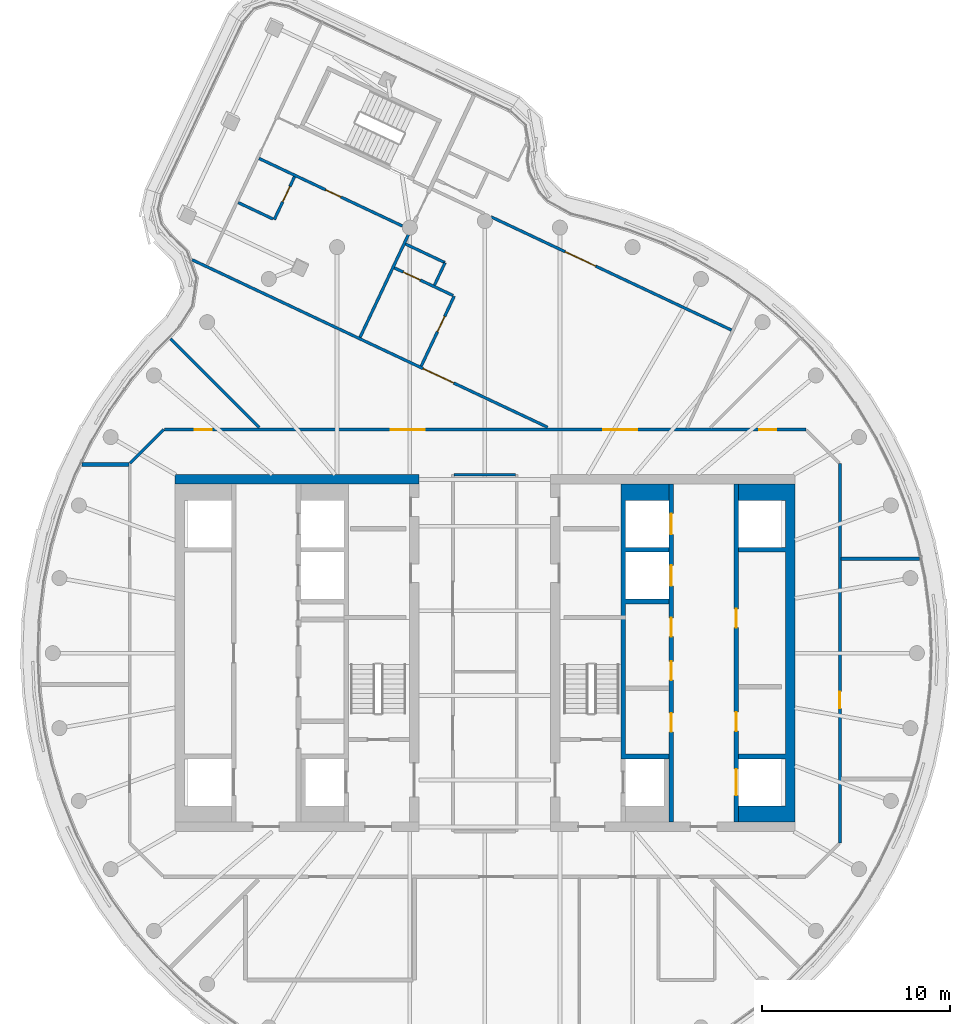
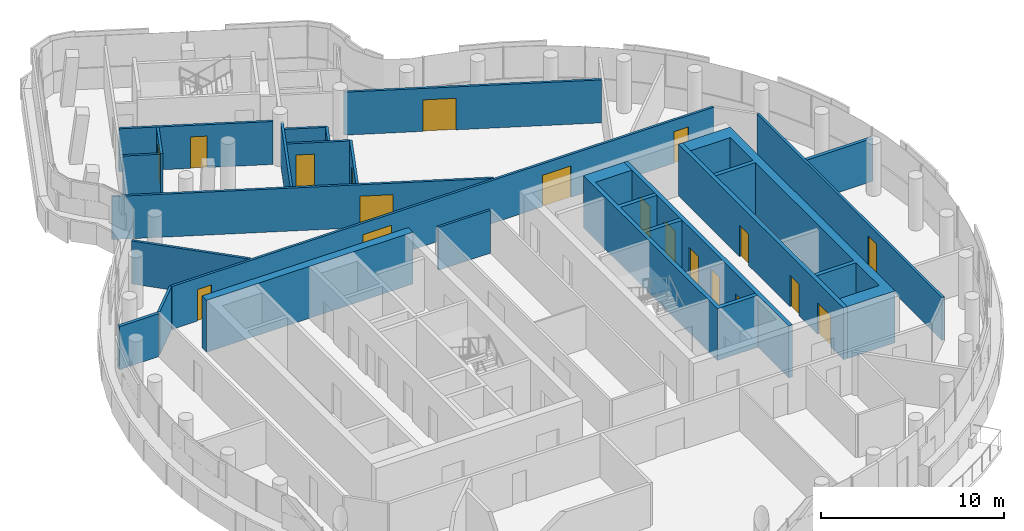
# One storey, part 15 of 21: 22 walls, 19 doors, 19 openings.
"""IFC4 building model written with IfcOpenShell, lengths in metres."""

from ifc_helpers import new_model, si_unit, direction, frame, frame_2d, origin, place, context, subcontext, project, spatial, polyline, rectangle, outline, extrude, material, layer, layer_set, type_object, element, fill, save


model = new_model("IFC4")

# Units and contexts
model_context = context("Model", 3, precision=1e-05, world=origin(), true_north=direction((0.0, 1.0)))
body_context = subcontext(model_context, "Body", "Model", "MODEL_VIEW")
ifc_project = project(units=[si_unit("LENGTHUNIT", "METRE"), si_unit("AREAUNIT", "SQUARE_METRE"), si_unit("VOLUMEUNIT", "CUBIC_METRE"), si_unit("PLANEANGLEUNIT", "RADIAN"), si_unit("MASSUNIT", "GRAM", prefix="KILO")], contexts=[model_context])

# Site, building, storey
site_placement = place(None, origin())
site = spatial("IfcSite", under=ifc_project, at=site_placement, CompositionType="ELEMENT")
building_placement = place(site_placement, origin())
building = spatial("IfcBuilding", under=site, at=building_placement, Name="Tamarind Cross Interchange Tower", CompositionType="ELEMENT")
storey_placement = place(building_placement, frame((0.0, 0.0, 267.60009765625)))
storey = spatial("IfcBuildingStorey", under=building, at=storey_placement, Name="L68", CompositionType="ELEMENT", Elevation=267.60009765625)

# Walls
ifc_material_1 = material(Name="Concrete C50", Category="concrete")
ifc_layer_1 = layer(ifc_material_1, 0.5)
ifc_layer_set_1 = layer_set([ifc_layer_1], Name="Concrete C50")
wall_type_1 = type_object("IfcWallType", Name="Core wall 500 mm Concrete C50", PredefinedType="SHEAR", material=ifc_layer_set_1)
wall_1_placement = place(storey_placement, frame((-16.5, 9.25, 0.0), z_axis=(0.0, 0.0, 1.0), x_axis=(1.0, 0.0, 0.0)))
element("IfcWall", 1, at=wall_1_placement, inside=storey, type_object=wall_type_1, Name="Core wall CWL-L68-W-NE", PredefinedType="SHEAR", context=body_context, shape_type="SweptSolid", body=[
    extrude(rectangle(XDim=13.0, YDim=0.5, at=frame_2d((6.5, 0.0))), origin(), (0.0, 0.0, 1.0), 3.4599609375),
])
wall_2_placement = place(storey_placement, origin())
element("IfcWall", 2, at=wall_2_placement, inside=storey, type_object=wall_type_1, Name="Core wall CWL-L68-E-A", PredefinedType="SHEAR", context=body_context, shape_type="SweptSolid", body=[
    extrude(outline(polyline([(13.5, -8.125), (13.5, -9.0), (16.0, -9.0), (16.5, -9.0), (16.5, 9.0), (16.0, 9.0), (13.5, 9.0), (13.5, 8.125), (16.0, 8.125), (16.0, 5.625), (13.5, 5.625), (13.5, 5.375), (16.0, 5.375), (16.0, -5.375), (13.5, -5.375), (13.5, -5.625), (16.0, -5.625), (16.0, -8.125), (13.5, -8.125)])), origin(), (0.0, 0.0, 1.0), 3.4599609375),
])
ifc_layer_2 = layer(ifc_material_1, 0.25)
ifc_layer_set_2 = layer_set([ifc_layer_2], Name="Concrete C50")
wall_type_2 = type_object("IfcWallType", Name="Core web wall 250 mm Concrete C50", PredefinedType="SHEAR", material=ifc_layer_set_2)
wall_3_placement = place(storey_placement, origin())
element("IfcWall", 3, at=wall_3_placement, inside=storey, type_object=wall_type_2, Name="Core wall CWL-L68-E-BN", PredefinedType="SHEAR", context=body_context, shape_type="SweptSolid", body=[
    extrude(outline(polyline([(9.800048828125, -5.375), (7.5, -5.375), (7.5, 2.625), (9.800048828125, 2.625), (9.800048828125, 2.875), (7.5, 2.875), (7.5, 5.375), (9.800048828125, 5.375), (9.800048828125, 5.625), (7.5, 5.625), (7.5, 8.125), (9.800048828125, 8.125), (9.800048828125, 9.0), (7.5, 9.0), (7.25, 9.0), (7.25, -5.625), (7.5, -5.625), (9.800048828125, -5.625), (9.800048828125, -5.375)])), origin(), (0.0, 0.0, 1.0), 3.4599609375),
])

# Wall, openings, doors
wall_4_placement = place(storey_placement, frame((13.375, -9.0, 0.0), z_axis=(0.0, 0.0, 1.0), x_axis=(0.0, 1.0, 0.0)))
wall_4 = element("IfcWall", 4, at=wall_4_placement, inside=storey, type_object=wall_type_2, Name="Core wall CWL-L68-E-LA", PredefinedType="SHEAR", context=body_context, shape_type="SweptSolid", body=[
    extrude(rectangle(XDim=18.0, YDim=0.25, at=frame_2d((9.0, 0.0))), origin(), (0.0, 0.0, 1.0), 3.4599609375),
])
opening_1_placement = place(wall_4_placement, frame((1.425048828125, 0.0, 0.0)))
opening_1 = element("IfcOpeningElement", 5, at=opening_1_placement, cuts=wall_4, Name="Opening LD13L68", PredefinedType="OPENING", context=body_context, shape_type="SweptSolid", body=[
    extrude(rectangle(XDim=1.39990234375, YDim=2.10009765625, at=frame_2d((0.699951171875, 1.050048828125))), frame((0.0, 0.135009765625, 0.0), z_axis=(0.0, -1.0, 0.0), x_axis=(1.0, 0.0, 0.0)), (0.0, 0.0, 1.0), 0.27001953125),
])
opening_2_placement = place(wall_4_placement, frame((4.85400390625, 0.0, 0.0)))
opening_2 = element("IfcOpeningElement", 6, at=opening_2_placement, cuts=wall_4, Name="Opening DCE9", PredefinedType="OPENING", context=body_context, shape_type="SweptSolid", body=[
    extrude(rectangle(XDim=1.0, YDim=2.10009765625, at=frame_2d((0.5, 1.050048828125))), frame((0.0, 0.135009765625, 0.0), z_axis=(0.0, -1.0, 0.0), x_axis=(1.0, 0.0, 0.0)), (0.0, 0.0, 1.0), 0.27001953125),
])
opening_3_placement = place(wall_4_placement, frame((10.35400390625, 0.0, 0.0)))
opening_3 = element("IfcOpeningElement", 7, at=opening_3_placement, cuts=wall_4, Name="Opening DCE10", PredefinedType="OPENING", context=body_context, shape_type="SweptSolid", body=[
    extrude(rectangle(XDim=1.0, YDim=2.10009765625, at=frame_2d((0.5, 1.050048828125))), frame((0.0, 0.135009765625, 0.0), z_axis=(0.0, -1.0, 0.0), x_axis=(1.0, 0.0, 0.0)), (0.0, 0.0, 1.0), 0.27001953125),
])
ifc_material_2 = material(Name="Steel, fire-resisting", Category="steel")
door_type_1 = type_object("IfcDoorType", Name="Core fire door 1000 x 2100 FD90", OperationType="SINGLE_SWING_LEFT", PredefinedType="DOOR", material=ifc_material_2)
door_1_placement = place(opening_2_placement, origin())
door_1 = element("IfcDoor", 8, at=door_1_placement, inside=storey, type_object=door_type_1, Name="L68 Hotel pantry door", OperationType="SINGLE_SWING_LEFT", OverallHeight=2.10009765625, OverallWidth=1.0, PredefinedType="DOOR", context=body_context, shape_type="SweptSolid", body=[
    extrude(rectangle(XDim=1.0, YDim=2.10009765625, at=frame_2d((0.5, 1.050048828125))), frame((0.0, 0.02490234375, 0.0), z_axis=(0.0, -1.0, 0.0), x_axis=(1.0, 0.0, 0.0)), (0.0, 0.0, 1.0), 0.050048828125),
])
fill(opening_2, door_1)
door_2_placement = place(opening_3_placement, origin())
door_2 = element("IfcDoor", 9, at=door_2_placement, inside=storey, type_object=door_type_1, Name="L68 Staff changing room door", OperationType="SINGLE_SWING_LEFT", OverallHeight=2.10009765625, OverallWidth=1.0, PredefinedType="DOOR", context=body_context, shape_type="SweptSolid", body=[
    extrude(rectangle(XDim=1.0, YDim=2.10009765625, at=frame_2d((0.5, 1.050048828125))), frame((0.0, 0.02490234375, 0.0), z_axis=(0.0, -1.0, 0.0), x_axis=(1.0, 0.0, 0.0)), (0.0, 0.0, 1.0), 0.050048828125),
])
fill(opening_3, door_2)
ifc_material_3 = material(Name="Stainless steel panel", Category="steel")
door_type_2 = type_object("IfcDoorType", Name="Lift landing door 1400 x 2100 E 120", OperationType="SLIDING_TO_LEFT", PredefinedType="DOOR", material=ifc_material_3)
door_3_placement = place(opening_1_placement, origin())
door_3 = element("IfcDoor", 10, at=door_3_placement, inside=storey, type_object=door_type_2, Name="L68 landing door LF13", OperationType="SLIDING_TO_LEFT", OverallHeight=2.10009765625, OverallWidth=1.39990234375, PredefinedType="DOOR", context=body_context, shape_type="SweptSolid", body=[
    extrude(rectangle(XDim=1.39990234375, YDim=2.10009765625, at=frame_2d((0.699951171875, 1.050048828125))), frame((0.0, 0.02490234375, 0.0), z_axis=(0.0, -1.0, 0.0), x_axis=(1.0, 0.0, 0.0)), (0.0, 0.0, 1.0), 0.050048828125),
])
fill(opening_1, door_3)

wall_5_placement = place(storey_placement, frame((9.925048828125, -9.0, 0.0), z_axis=(0.0, 0.0, 1.0), x_axis=(0.0, 1.0, 0.0)))
wall_5 = element("IfcWall", 11, at=wall_5_placement, inside=storey, type_object=wall_type_2, Name="Core wall CWL-L68-E-LB", PredefinedType="SHEAR", context=body_context, shape_type="SweptSolid", body=[
    extrude(rectangle(XDim=18.0, YDim=0.25, at=frame_2d((9.0, 0.0))), origin(), (0.0, 0.0, 1.0), 3.4599609375),
])
opening_4_placement = place(wall_5_placement, frame((12.574951171875, 0.0, 0.0)))
opening_4 = element("IfcOpeningElement", 12, at=opening_4_placement, cuts=wall_5, Name="Opening LD23L68", PredefinedType="OPENING", context=body_context, shape_type="SweptSolid", body=[
    extrude(rectangle(XDim=1.10009765625, YDim=2.10009765625, at=frame_2d((0.550048828125, 1.050048828125))), frame((0.0, 0.135009765625, 0.0), z_axis=(0.0, -1.0, 0.0), x_axis=(1.0, 0.0, 0.0)), (0.0, 0.0, 1.0), 0.27001953125),
])
opening_5_placement = place(wall_5_placement, frame((15.324951171875, 0.0, 0.0)))
opening_5 = element("IfcOpeningElement", 13, at=opening_5_placement, cuts=wall_5, Name="Opening LD24L68", PredefinedType="OPENING", context=body_context, shape_type="SweptSolid", body=[
    extrude(rectangle(XDim=1.10009765625, YDim=2.10009765625, at=frame_2d((0.550048828125, 1.050048828125))), frame((0.0, 0.135009765625, 0.0), z_axis=(0.0, -1.0, 0.0), x_axis=(1.0, 0.0, 0.0)), (0.0, 0.0, 1.0), 0.27001953125),
])
opening_6_placement = place(wall_5_placement, frame((4.8125, 0.0, 0.0)))
opening_6 = element("IfcOpeningElement", 14, at=opening_6_placement, cuts=wall_5, Name="Opening DCE21", PredefinedType="OPENING", context=body_context, shape_type="SweptSolid", body=[
    extrude(rectangle(XDim=1.0, YDim=2.10009765625, at=frame_2d((0.5, 1.050048828125))), frame((0.0, 0.135009765625, 0.0), z_axis=(0.0, -1.0, 0.0), x_axis=(1.0, 0.0, 0.0)), (0.0, 0.0, 1.0), 0.27001953125),
])
opening_7_placement = place(wall_5_placement, frame((7.5625, 0.0, 0.0)))
opening_7 = element("IfcOpeningElement", 15, at=opening_7_placement, cuts=wall_5, Name="Opening DCE22", PredefinedType="OPENING", context=body_context, shape_type="SweptSolid", body=[
    extrude(rectangle(XDim=1.0, YDim=2.10009765625, at=frame_2d((0.5, 1.050048828125))), frame((0.0, 0.135009765625, 0.0), z_axis=(0.0, -1.0, 0.0), x_axis=(1.0, 0.0, 0.0)), (0.0, 0.0, 1.0), 0.27001953125),
])
opening_8_placement = place(wall_5_placement, frame((9.875, 0.0, 0.0)))
opening_8 = element("IfcOpeningElement", 16, at=opening_8_placement, cuts=wall_5, Name="Opening DCE21", PredefinedType="OPENING", context=body_context, shape_type="SweptSolid", body=[
    extrude(rectangle(XDim=1.0, YDim=2.10009765625, at=frame_2d((0.5, 1.050048828125))), frame((0.0, 0.135009765625, 0.0), z_axis=(0.0, -1.0, 0.0), x_axis=(1.0, 0.0, 0.0)), (0.0, 0.0, 1.0), 0.27001953125),
])
door_4_placement = place(opening_6_placement, origin())
door_4 = element("IfcDoor", 17, at=door_4_placement, inside=storey, type_object=door_type_1, Name="L68 Staff changing room door", OperationType="SINGLE_SWING_LEFT", OverallHeight=2.10009765625, OverallWidth=1.0, PredefinedType="DOOR", context=body_context, shape_type="SweptSolid", body=[
    extrude(rectangle(XDim=1.0, YDim=2.10009765625, at=frame_2d((0.5, 1.050048828125))), frame((0.0, 0.02490234375, 0.0), z_axis=(0.0, -1.0, 0.0), x_axis=(1.0, 0.0, 0.0)), (0.0, 0.0, 1.0), 0.050048828125),
])
fill(opening_6, door_4)
door_5_placement = place(opening_7_placement, origin())
door_5 = element("IfcDoor", 18, at=door_5_placement, inside=storey, type_object=door_type_1, Name="L68 Ice and vending room door", OperationType="SINGLE_SWING_LEFT", OverallHeight=2.10009765625, OverallWidth=1.0, PredefinedType="DOOR", context=body_context, shape_type="SweptSolid", body=[
    extrude(rectangle(XDim=1.0, YDim=2.10009765625, at=frame_2d((0.5, 1.050048828125))), frame((0.0, 0.02490234375, 0.0), z_axis=(0.0, -1.0, 0.0), x_axis=(1.0, 0.0, 0.0)), (0.0, 0.0, 1.0), 0.050048828125),
])
fill(opening_7, door_5)
door_6_placement = place(opening_8_placement, origin())
door_6 = element("IfcDoor", 19, at=door_6_placement, inside=storey, type_object=door_type_1, Name="L68 Staff changing room door", OperationType="SINGLE_SWING_LEFT", OverallHeight=2.10009765625, OverallWidth=1.0, PredefinedType="DOOR", context=body_context, shape_type="SweptSolid", body=[
    extrude(rectangle(XDim=1.0, YDim=2.10009765625, at=frame_2d((0.5, 1.050048828125))), frame((0.0, 0.02490234375, 0.0), z_axis=(0.0, -1.0, 0.0), x_axis=(1.0, 0.0, 0.0)), (0.0, 0.0, 1.0), 0.050048828125),
])
fill(opening_8, door_6)
door_type_3 = type_object("IfcDoorType", Name="Lift landing door 1100 x 2100 E 120", OperationType="SLIDING_TO_LEFT", PredefinedType="DOOR", material=ifc_material_3)
door_7_placement = place(opening_4_placement, origin())
door_7 = element("IfcDoor", 20, at=door_7_placement, inside=storey, type_object=door_type_3, Name="L68 landing door LF23", OperationType="SLIDING_TO_LEFT", OverallHeight=2.10009765625, OverallWidth=1.10009765625, PredefinedType="DOOR", context=body_context, shape_type="SweptSolid", body=[
    extrude(rectangle(XDim=1.10009765625, YDim=2.10009765625, at=frame_2d((0.550048828125, 1.050048828125))), frame((0.0, 0.02490234375, 0.0), z_axis=(0.0, -1.0, 0.0), x_axis=(1.0, 0.0, 0.0)), (0.0, 0.0, 1.0), 0.050048828125),
])
fill(opening_4, door_7)
door_8_placement = place(opening_5_placement, origin())
door_8 = element("IfcDoor", 21, at=door_8_placement, inside=storey, type_object=door_type_3, Name="L68 landing door LF24", OperationType="SLIDING_TO_LEFT", OverallHeight=2.10009765625, OverallWidth=1.10009765625, PredefinedType="DOOR", context=body_context, shape_type="SweptSolid", body=[
    extrude(rectangle(XDim=1.10009765625, YDim=2.10009765625, at=frame_2d((0.550048828125, 1.050048828125))), frame((0.0, 0.02490234375, 0.0), z_axis=(0.0, -1.0, 0.0), x_axis=(1.0, 0.0, 0.0)), (0.0, 0.0, 1.0), 0.050048828125),
])
fill(opening_5, door_8)

# Wall
ifc_material_4 = material(Name="Gypsum board partition on steel studs", Category="steel")
ifc_layer_3 = layer(ifc_material_4, 0.14990234375)
ifc_layer_set_3 = layer_set([ifc_layer_3], Name="Gypsum board partition on steel studs")
wall_type_3 = type_object("IfcWallType", Name="Partition 150 mm EI 120", PredefinedType="PARTITIONING", material=ifc_layer_set_3)
wall_6_placement = place(storey_placement, frame((-16.740966796875, 16.740966796875, 0.0), z_axis=(0.0, 0.0, 1.0), x_axis=(0.707106781187, -0.707106781187, 0.0)))
element("IfcWall", 22, at=wall_6_placement, inside=storey, type_object=wall_type_3, Name="Partition L68-002", PredefinedType="PARTITIONING", context=body_context, shape_type="SweptSolid", body=[
    extrude(rectangle(XDim=6.691162109375, YDim=0.14990234375, at=frame_2d((3.345703125, 0.0))), origin(), (0.0, 0.0, 1.0), 2.864013671875),
])

# Wall, opening, door
wall_7_placement = place(storey_placement, frame((-15.5869140625, 20.941650390625, 0.0), z_axis=(0.0, 0.0, 1.0), x_axis=(0.904653653251, -0.426147589058, 0.0)))
wall_7 = element("IfcWall", 23, at=wall_7_placement, inside=storey, type_object=wall_type_3, Name="Partition L68-005", PredefinedType="PARTITIONING", context=body_context, shape_type="SweptSolid", body=[
    extrude(rectangle(XDim=20.927001953125, YDim=0.14990234375, at=frame_2d((10.46337890625, 0.0))), origin(), (0.0, 0.0, 1.0), 2.864013671875),
])
opening_9_placement = place(wall_7_placement, frame((13.599365234375, 0.0, 0.0)))
opening_9 = element("IfcOpeningElement", 24, at=opening_9_placement, cuts=wall_7, Name="Opening D01", PredefinedType="OPENING", context=body_context, shape_type="SweptSolid", body=[
    extrude(rectangle(XDim=1.800048828125, YDim=2.10009765625, at=frame_2d((0.89990234375, 1.050048828125))), frame((0.0, 0.0849609375, 0.0), z_axis=(0.0, -1.0, 0.0), x_axis=(1.0, 0.0, 0.0)), (0.0, 0.0, 1.0), 0.169921875),
])
ifc_material_5 = material(Name="Fire-resisting door set")
door_type_4 = type_object("IfcDoorType", Name="Interior door 1800 x 2100 FD60S", OperationType="DOUBLE_DOOR_SINGLE_SWING", PredefinedType="DOOR", material=ifc_material_5)
door_9_placement = place(opening_9_placement, origin())
door_9 = element("IfcDoor", 25, at=door_9_placement, inside=storey, type_object=door_type_4, Name="Door D01", OperationType="DOUBLE_DOOR_SINGLE_SWING", OverallHeight=2.10009765625, OverallWidth=1.800048828125, PredefinedType="DOOR", context=body_context, shape_type="SweptSolid", body=[
    extrude(rectangle(XDim=1.800048828125, YDim=2.10009765625, at=frame_2d((0.89990234375, 1.050048828125))), frame((0.0, 0.02490234375, 0.0), z_axis=(0.0, -1.0, 0.0), x_axis=(1.0, 0.0, 0.0)), (0.0, 0.0, 1.0), 0.050048828125),
])
fill(opening_9, door_9)

# Wall
wall_8_placement = place(storey_placement, frame((-13.131103515625, 23.985107421875, 0.0), z_axis=(0.0, 0.0, 1.0), x_axis=(0.90454861014, -0.426370510112, 0.0)))
element("IfcWall", 26, at=wall_8_placement, inside=storey, type_object=wall_type_3, Name="Partition L68-006", PredefinedType="PARTITIONING", context=body_context, shape_type="SweptSolid", body=[
    extrude(rectangle(XDim=2.0498046875, YDim=0.14990234375, at=frame_2d((1.02490234375, 0.0))), origin(), (0.0, 0.0, 1.0), 2.864013671875),
])

# Wall, opening, door
wall_9_placement = place(storey_placement, frame((-12.023193359375, 26.3369140625, 0.0), z_axis=(0.0, 0.0, 1.0), x_axis=(0.904561149332, -0.426343907098, 0.0)))
wall_9 = element("IfcWall", 27, at=wall_9_placement, inside=storey, type_object=wall_type_3, Name="Partition L68-007", PredefinedType="PARTITIONING", context=body_context, shape_type="SweptSolid", body=[
    extrude(rectangle(XDim=8.4482421875, YDim=0.14990234375, at=frame_2d((4.22412109375, 0.0))), origin(), (0.0, 0.0, 1.0), 2.864013671875),
])
opening_10_placement = place(wall_9_placement, frame((3.925048828125, 0.0, 0.0)))
opening_10 = element("IfcOpeningElement", 28, at=opening_10_placement, cuts=wall_9, Name="Opening D02", PredefinedType="OPENING", context=body_context, shape_type="SweptSolid", body=[
    extrude(rectangle(XDim=0.89990234375, YDim=2.10009765625, at=frame_2d((0.449951171875, 1.050048828125))), frame((0.0, 0.0849609375, 0.0), z_axis=(0.0, -1.0, 0.0), x_axis=(1.0, 0.0, 0.0)), (0.0, 0.0, 1.0), 0.169921875),
])
door_type_5 = type_object("IfcDoorType", Name="Interior door 900 x 2100 FD60S", OperationType="SINGLE_SWING_LEFT", PredefinedType="DOOR", material=ifc_material_5)
door_10_placement = place(opening_10_placement, frame((0.89990234375, 0.0, 0.0), z_axis=(0.0, 0.0, 1.0), x_axis=(-1.0, 0.0, 0.0)))
door_10 = element("IfcDoor", 29, at=door_10_placement, inside=storey, type_object=door_type_5, Name="Door D02", OperationType="SINGLE_SWING_RIGHT", OverallHeight=2.10009765625, OverallWidth=0.89990234375, PredefinedType="DOOR", context=body_context, shape_type="SweptSolid", body=[
    extrude(rectangle(XDim=0.89990234375, YDim=2.10009765625, at=frame_2d((0.449951171875, 1.050048828125))), frame((0.0, 0.02490234375, 0.0), z_axis=(0.0, -1.0, 0.0), x_axis=(1.0, 0.0, 0.0)), (0.0, 0.0, 1.0), 0.050048828125),
])
fill(opening_10, door_10)

wall_10_placement = place(storey_placement, frame((-4.819091796875, 20.510986328125, 0.0), z_axis=(0.0, 0.0, 1.0), x_axis=(0.904682334581, -0.426086697161, 0.0)))
wall_10 = element("IfcWall", 30, at=wall_10_placement, inside=storey, type_object=wall_type_3, Name="Partition L68-010", PredefinedType="PARTITIONING", context=body_context, shape_type="SweptSolid", body=[
    extrude(rectangle(XDim=3.449951171875, YDim=0.14990234375, at=frame_2d((1.72509765625, 0.0))), origin(), (0.0, 0.0, 1.0), 2.864013671875),
])
opening_11_placement = place(wall_10_placement, frame((0.52490234375, 0.0, 0.0)))
opening_11 = element("IfcOpeningElement", 31, at=opening_11_placement, cuts=wall_10, Name="Opening D04", PredefinedType="OPENING", context=body_context, shape_type="SweptSolid", body=[
    extrude(rectangle(XDim=1.0, YDim=2.10009765625, at=frame_2d((0.5, 1.050048828125))), frame((0.0, 0.0849609375, 0.0), z_axis=(0.0, -1.0, 0.0), x_axis=(1.0, 0.0, 0.0)), (0.0, 0.0, 1.0), 0.169921875),
])
door_type_6 = type_object("IfcDoorType", Name="Interior door 1000 x 2100 FD60S", OperationType="SINGLE_SWING_LEFT", PredefinedType="DOOR", material=ifc_material_5)
door_11_placement = place(opening_11_placement, origin())
door_11 = element("IfcDoor", 32, at=door_11_placement, inside=storey, type_object=door_type_6, Name="Door D04", OperationType="SINGLE_SWING_RIGHT", OverallHeight=2.10009765625, OverallWidth=1.0, PredefinedType="DOOR", context=body_context, shape_type="SweptSolid", body=[
    extrude(rectangle(XDim=1.0, YDim=2.10009765625, at=frame_2d((0.5, 1.050048828125))), frame((0.0, 0.02490234375, 0.0), z_axis=(0.0, -1.0, 0.0), x_axis=(1.0, 0.0, 0.0)), (0.0, 0.0, 1.0), 0.050048828125),
])
fill(opening_11, door_11)

# Wall
wall_11_placement = place(storey_placement, frame((-4.22216796875, 21.778076171875, 0.0), z_axis=(0.0, 0.0, 1.0), x_axis=(0.904566493382, -0.426332568602, 0.0)))
element("IfcWall", 33, at=wall_11_placement, inside=storey, type_object=wall_type_3, Name="Partition L68-011", PredefinedType="PARTITIONING", context=body_context, shape_type="SweptSolid", body=[
    extrude(rectangle(XDim=2.304931640625, YDim=0.14990234375, at=frame_2d((1.15234375, 0.0))), origin(), (0.0, 0.0, 1.0), 2.864013671875),
])

# Wall, opening, door
wall_12_placement = place(storey_placement, frame((0.33740234375, 23.222900390625, 0.0), z_axis=(0.0, 0.0, 1.0), x_axis=(0.904661349285, -0.426131251036, 0.0)))
wall_12 = element("IfcWall", 34, at=wall_12_placement, inside=storey, type_object=wall_type_3, Name="Partition L68-013", PredefinedType="PARTITIONING", context=body_context, shape_type="SweptSolid", body=[
    extrude(rectangle(XDim=14.140869140625, YDim=0.14990234375, at=frame_2d((7.0703125, 0.0))), origin(), (0.0, 0.0, 1.0), 2.864013671875),
])
opening_12_placement = place(wall_12_placement, frame((4.35009765625, 0.0, 0.0)))
opening_12 = element("IfcOpeningElement", 35, at=opening_12_placement, cuts=wall_12, Name="Opening D05", PredefinedType="OPENING", context=body_context, shape_type="SweptSolid", body=[
    extrude(rectangle(XDim=1.800048828125, YDim=2.10009765625, at=frame_2d((0.89990234375, 1.050048828125))), frame((0.0, 0.0849609375, 0.0), z_axis=(0.0, -1.0, 0.0), x_axis=(1.0, 0.0, 0.0)), (0.0, 0.0, 1.0), 0.169921875),
])
door_12_placement = place(opening_12_placement, origin())
door_12 = element("IfcDoor", 36, at=door_12_placement, inside=storey, type_object=door_type_4, Name="Door D05", OperationType="DOUBLE_DOOR_SINGLE_SWING", OverallHeight=2.10009765625, OverallWidth=1.800048828125, PredefinedType="DOOR", context=body_context, shape_type="SweptSolid", body=[
    extrude(rectangle(XDim=1.800048828125, YDim=2.10009765625, at=frame_2d((0.89990234375, 1.050048828125))), frame((0.0, 0.02490234375, 0.0), z_axis=(0.0, -1.0, 0.0), x_axis=(1.0, 0.0, 0.0)), (0.0, 0.0, 1.0), 0.050048828125),
])
fill(opening_12, door_12)

# Wall, openings, doors
wall_13_placement = place(storey_placement, frame((-17.06494140625, 11.89990234375, 0.0), z_axis=(0.0, 0.0, 1.0), x_axis=(1.0, 0.0, 0.0)))
wall_13 = element("IfcWall", 37, at=wall_13_placement, inside=storey, type_object=wall_type_3, Name="Partition L68-019", PredefinedType="PARTITIONING", context=body_context, shape_type="SweptSolid", body=[
    extrude(rectangle(XDim=34.1650390625, YDim=0.14990234375, at=frame_2d((17.08251953125, 0.0))), origin(), (0.0, 0.0, 1.0), 2.864013671875),
])
opening_13_placement = place(wall_13_placement, frame((23.3720703125, 0.0, 0.0)))
opening_13 = element("IfcOpeningElement", 38, at=opening_13_placement, cuts=wall_13, Name="Opening D12", PredefinedType="OPENING", context=body_context, shape_type="SweptSolid", body=[
    extrude(rectangle(XDim=1.800048828125, YDim=2.10009765625, at=frame_2d((0.89990234375, 1.050048828125))), frame((0.0, 0.0849609375, 0.0), z_axis=(0.0, -1.0, 0.0), x_axis=(1.0, 0.0, 0.0)), (0.0, 0.0, 1.0), 0.169921875),
])
opening_14_placement = place(wall_13_placement, frame((1.614990234375, 0.0, 0.0)))
opening_14 = element("IfcOpeningElement", 39, at=opening_14_placement, cuts=wall_13, Name="Opening D13", PredefinedType="OPENING", context=body_context, shape_type="SweptSolid", body=[
    extrude(rectangle(XDim=0.89990234375, YDim=2.10009765625, at=frame_2d((0.449951171875, 1.050048828125))), frame((0.0, 0.0849609375, 0.0), z_axis=(0.0, -1.0, 0.0), x_axis=(1.0, 0.0, 0.0)), (0.0, 0.0, 1.0), 0.169921875),
])
opening_15_placement = place(wall_13_placement, frame((31.6650390625, 0.0, 0.0)))
opening_15 = element("IfcOpeningElement", 40, at=opening_15_placement, cuts=wall_13, Name="Opening D14", PredefinedType="OPENING", context=body_context, shape_type="SweptSolid", body=[
    extrude(rectangle(XDim=0.89990234375, YDim=2.10009765625, at=frame_2d((0.449951171875, 1.050048828125))), frame((0.0, 0.0849609375, 0.0), z_axis=(0.0, -1.0, 0.0), x_axis=(1.0, 0.0, 0.0)), (0.0, 0.0, 1.0), 0.169921875),
])
opening_16_placement = place(wall_13_placement, frame((12.06494140625, 0.0, 0.0)))
opening_16 = element("IfcOpeningElement", 41, at=opening_16_placement, cuts=wall_13, Name="Opening D15", PredefinedType="OPENING", context=body_context, shape_type="SweptSolid", body=[
    extrude(rectangle(XDim=1.800048828125, YDim=2.10009765625, at=frame_2d((0.89990234375, 1.050048828125))), frame((0.0, 0.0849609375, 0.0), z_axis=(0.0, -1.0, 0.0), x_axis=(1.0, 0.0, 0.0)), (0.0, 0.0, 1.0), 0.169921875),
])
door_13_placement = place(opening_13_placement, frame((1.800048828125, 0.0, 0.0), z_axis=(0.0, 0.0, 1.0), x_axis=(-1.0, 0.0, 0.0)))
door_13 = element("IfcDoor", 42, at=door_13_placement, inside=storey, type_object=door_type_4, Name="Door D12", OperationType="DOUBLE_DOOR_SINGLE_SWING", OverallHeight=2.10009765625, OverallWidth=1.800048828125, PredefinedType="DOOR", context=body_context, shape_type="SweptSolid", body=[
    extrude(rectangle(XDim=1.800048828125, YDim=2.10009765625, at=frame_2d((0.89990234375, 1.050048828125))), frame((0.0, 0.02490234375, 0.0), z_axis=(0.0, -1.0, 0.0), x_axis=(1.0, 0.0, 0.0)), (0.0, 0.0, 1.0), 0.050048828125),
])
fill(opening_13, door_13)
door_14_placement = place(opening_16_placement, frame((1.800048828125, 0.0, 0.0), z_axis=(0.0, 0.0, 1.0), x_axis=(-1.0, 0.0, 0.0)))
door_14 = element("IfcDoor", 43, at=door_14_placement, inside=storey, type_object=door_type_4, Name="Door D15", OperationType="DOUBLE_DOOR_SINGLE_SWING", OverallHeight=2.10009765625, OverallWidth=1.800048828125, PredefinedType="DOOR", context=body_context, shape_type="SweptSolid", body=[
    extrude(rectangle(XDim=1.800048828125, YDim=2.10009765625, at=frame_2d((0.89990234375, 1.050048828125))), frame((0.0, 0.02490234375, 0.0), z_axis=(0.0, -1.0, 0.0), x_axis=(1.0, 0.0, 0.0)), (0.0, 0.0, 1.0), 0.050048828125),
])
fill(opening_16, door_14)
door_15_placement = place(opening_14_placement, origin())
door_15 = element("IfcDoor", 44, at=door_15_placement, inside=storey, type_object=door_type_5, Name="Door D13", OperationType="SINGLE_SWING_RIGHT", OverallHeight=2.10009765625, OverallWidth=0.89990234375, PredefinedType="DOOR", context=body_context, shape_type="SweptSolid", body=[
    extrude(rectangle(XDim=0.89990234375, YDim=2.10009765625, at=frame_2d((0.449951171875, 1.050048828125))), frame((0.0, 0.02490234375, 0.0), z_axis=(0.0, -1.0, 0.0), x_axis=(1.0, 0.0, 0.0)), (0.0, 0.0, 1.0), 0.050048828125),
])
fill(opening_14, door_15)
door_16_placement = place(opening_15_placement, origin())
door_16 = element("IfcDoor", 45, at=door_16_placement, inside=storey, type_object=door_type_5, Name="Door D14", OperationType="SINGLE_SWING_LEFT", OverallHeight=2.10009765625, OverallWidth=0.89990234375, PredefinedType="DOOR", context=body_context, shape_type="SweptSolid", body=[
    extrude(rectangle(XDim=0.89990234375, YDim=2.10009765625, at=frame_2d((0.449951171875, 1.050048828125))), frame((0.0, 0.02490234375, 0.0), z_axis=(0.0, -1.0, 0.0), x_axis=(1.0, 0.0, 0.0)), (0.0, 0.0, 1.0), 0.050048828125),
])
fill(opening_15, door_16)

# Walls
wall_14_placement = place(storey_placement, frame((-1.639892578125, 9.5, 0.0), z_axis=(0.0, 0.0, 1.0), x_axis=(1.0, 0.0, 0.0)))
element("IfcWall", 46, at=wall_14_placement, inside=storey, type_object=wall_type_3, Name="Partition L68-024", PredefinedType="PARTITIONING", context=body_context, shape_type="SweptSolid", body=[
    extrude(rectangle(XDim=3.27978515625, YDim=0.14990234375, at=frame_2d((1.639892578125, 0.0))), origin(), (0.0, 0.0, 1.0), 2.864013671875),
])
wall_15_placement = place(storey_placement, frame((-18.885986328125, 10.114013671875, 0.0), z_axis=(0.0, 0.0, 1.0), x_axis=(0.707106781187, 0.707106781187, 0.0)))
element("IfcWall", 47, at=wall_15_placement, inside=storey, type_object=wall_type_3, Name="Partition L68-027", PredefinedType="PARTITIONING", context=body_context, shape_type="SweptSolid", body=[
    extrude(rectangle(XDim=2.525634765625, YDim=0.14990234375, at=frame_2d((1.2626953125, 0.0))), origin(), (0.0, 0.0, 1.0), 2.864013671875),
])

# Wall, opening, door
wall_16_placement = place(storey_placement, frame((-11.208984375, 23.0791015625, 0.0), z_axis=(0.0, 0.0, 1.0), x_axis=(0.426127627969, 0.904663055884, 0.0)))
wall_16 = element("IfcWall", 48, at=wall_16_placement, inside=storey, type_object=wall_type_3, Name="Partition L68-032", PredefinedType="PARTITIONING", context=body_context, shape_type="SweptSolid", body=[
    extrude(rectangle(XDim=2.52490234375, YDim=0.14990234375, at=frame_2d((1.262451171875, 0.0))), origin(), (0.0, 0.0, 1.0), 2.864013671875),
])
opening_17_placement = place(wall_16_placement, frame((1.050048828125, 0.0, 0.0)))
opening_17 = element("IfcOpeningElement", 49, at=opening_17_placement, cuts=wall_16, Name="Opening D17", PredefinedType="OPENING", context=body_context, shape_type="SweptSolid", body=[
    extrude(rectangle(XDim=0.89990234375, YDim=2.10009765625, at=frame_2d((0.449951171875, 1.050048828125))), frame((0.0, 0.0849609375, 0.0), z_axis=(0.0, -1.0, 0.0), x_axis=(1.0, 0.0, 0.0)), (0.0, 0.0, 1.0), 0.169921875),
])
door_17_placement = place(opening_17_placement, origin())
door_17 = element("IfcDoor", 50, at=door_17_placement, inside=storey, type_object=door_type_5, Name="Door D17", OperationType="SINGLE_SWING_LEFT", OverallHeight=2.10009765625, OverallWidth=0.89990234375, PredefinedType="DOOR", context=body_context, shape_type="SweptSolid", body=[
    extrude(rectangle(XDim=0.89990234375, YDim=2.10009765625, at=frame_2d((0.449951171875, 1.050048828125))), frame((0.0, 0.02490234375, 0.0), z_axis=(0.0, -1.0, 0.0), x_axis=(1.0, 0.0, 0.0)), (0.0, 0.0, 1.0), 0.050048828125),
])
fill(opening_17, door_17)

# Wall
wall_17_placement = place(storey_placement, frame((-6.64404296875, 16.81201171875, 0.0), z_axis=(0.0, 0.0, 1.0), x_axis=(0.426051642649, 0.904698843702, 0.0)))
element("IfcWall", 51, at=wall_17_placement, inside=storey, type_object=wall_type_3, Name="Partition L68-033", PredefinedType="PARTITIONING", context=body_context, shape_type="SweptSolid", body=[
    extrude(rectangle(XDim=6.1875, YDim=0.14990234375, at=frame_2d((3.09375, 0.0))), origin(), (0.0, 0.0, 1.0), 2.864013671875),
])

# Wall, opening, door
wall_18_placement = place(storey_placement, frame((-3.385986328125, 15.282470703125, 0.0), z_axis=(0.0, 0.0, 1.0), x_axis=(0.426279306761, 0.904591594383, 0.0)))
wall_18 = element("IfcWall", 52, at=wall_18_placement, inside=storey, type_object=wall_type_3, Name="Partition L68-035", PredefinedType="PARTITIONING", context=body_context, shape_type="SweptSolid", body=[
    extrude(rectangle(XDim=4.11962890625, YDim=0.14990234375, at=frame_2d((2.059814453125, 0.0))), origin(), (0.0, 0.0, 1.0), 2.864013671875),
])
opening_18_placement = place(wall_18_placement, frame((2.02001953125, 0.0, 0.0)))
opening_18 = element("IfcOpeningElement", 53, at=opening_18_placement, cuts=wall_18, Name="Opening D19", PredefinedType="OPENING", context=body_context, shape_type="SweptSolid", body=[
    extrude(rectangle(XDim=0.89990234375, YDim=2.10009765625, at=frame_2d((0.449951171875, 1.050048828125))), frame((0.0, 0.0849609375, 0.0), z_axis=(0.0, -1.0, 0.0), x_axis=(1.0, 0.0, 0.0)), (0.0, 0.0, 1.0), 0.169921875),
])
door_18_placement = place(opening_18_placement, origin())
door_18 = element("IfcDoor", 54, at=door_18_placement, inside=storey, type_object=door_type_5, Name="Door D19", OperationType="SINGLE_SWING_LEFT", OverallHeight=2.10009765625, OverallWidth=0.89990234375, PredefinedType="DOOR", context=body_context, shape_type="SweptSolid", body=[
    extrude(rectangle(XDim=0.89990234375, YDim=2.10009765625, at=frame_2d((0.449951171875, 1.050048828125))), frame((0.0, 0.02490234375, 0.0), z_axis=(0.0, -1.0, 0.0), x_axis=(1.0, 0.0, 0.0)), (0.0, 0.0, 1.0), 0.050048828125),
])
fill(opening_18, door_18)

# Wall
wall_19_placement = place(storey_placement, frame((-2.68310546875, 19.5888671875, 0.0), z_axis=(0.0, 0.0, 1.0), x_axis=(0.426001205364, 0.904722594516, 0.0)))
element("IfcWall", 55, at=wall_19_placement, inside=storey, type_object=wall_type_3, Name="Partition L68-037", PredefinedType="PARTITIONING", context=body_context, shape_type="SweptSolid", body=[
    extrude(rectangle(XDim=1.324462890625, YDim=0.14990234375, at=frame_2d((0.662109375, 0.0))), origin(), (0.0, 0.0, 1.0), 2.864013671875),
])

# Wall, opening, door
wall_20_placement = place(storey_placement, frame((18.89990234375, -10.10009765625, 0.0), z_axis=(0.0, 0.0, 1.0), x_axis=(0.0, 1.0, 0.0)))
wall_20 = element("IfcWall", 56, at=wall_20_placement, inside=storey, type_object=wall_type_3, Name="Partition L68-048", PredefinedType="PARTITIONING", context=body_context, shape_type="SweptSolid", body=[
    extrude(rectangle(XDim=20.2001953125, YDim=0.14990234375, at=frame_2d((10.10009765625, 0.0))), origin(), (0.0, 0.0, 1.0), 2.864013671875),
])
opening_19_placement = place(wall_20_placement, frame((7.154052734375, 0.0, 0.0)))
opening_19 = element("IfcOpeningElement", 57, at=opening_19_placement, cuts=wall_20, Name="Opening D25", PredefinedType="OPENING", context=body_context, shape_type="SweptSolid", body=[
    extrude(rectangle(XDim=0.89990234375, YDim=2.10009765625, at=frame_2d((0.449951171875, 1.050048828125))), frame((0.0, 0.0849609375, 0.0), z_axis=(0.0, -1.0, 0.0), x_axis=(1.0, 0.0, 0.0)), (0.0, 0.0, 1.0), 0.169921875),
])
door_19_placement = place(opening_19_placement, frame((0.89990234375, 0.0, 0.0), z_axis=(0.0, 0.0, 1.0), x_axis=(-1.0, 0.0, 0.0)))
door_19 = element("IfcDoor", 58, at=door_19_placement, inside=storey, type_object=door_type_5, Name="Door D25", OperationType="SINGLE_SWING_LEFT", OverallHeight=2.10009765625, OverallWidth=0.89990234375, PredefinedType="DOOR", context=body_context, shape_type="SweptSolid", body=[
    extrude(rectangle(XDim=0.89990234375, YDim=2.10009765625, at=frame_2d((0.449951171875, 1.050048828125))), frame((0.0, 0.02490234375, 0.0), z_axis=(0.0, -1.0, 0.0), x_axis=(1.0, 0.0, 0.0)), (0.0, 0.0, 1.0), 0.050048828125),
])
fill(opening_19, door_19)

# Walls
ifc_layer_4 = layer(ifc_material_4, 0.199951171875)
ifc_layer_set_4 = layer_set([ifc_layer_4], Name="Gypsum board partition on steel studs")
wall_type_4 = type_object("IfcWallType", Name="Partition 200 mm EI 180", PredefinedType="PARTITIONING", material=ifc_layer_set_4)
wall_21_placement = place(storey_placement, frame((-21.439697265625, 10.044921875, 0.0), z_axis=(0.0, 0.0, 1.0), x_axis=(1.0, 0.0, 0.0)))
element("IfcWall", 59, at=wall_21_placement, inside=storey, type_object=wall_type_4, Name="Partition L68-017", PredefinedType="PARTITIONING", context=body_context, shape_type="SweptSolid", body=[
    extrude(rectangle(XDim=2.484619140625, YDim=0.199951171875, at=frame_2d((1.2421875, 0.0))), origin(), (0.0, 0.0, 1.0), 2.864013671875),
])
wall_22_placement = place(storey_placement, frame((18.955078125, 5.02197265625, 0.0), z_axis=(0.0, 0.0, 1.0), x_axis=(1.0, 0.0, 0.0)))
element("IfcWall", 60, at=wall_22_placement, inside=storey, type_object=wall_type_4, Name="Partition L68-026", PredefinedType="PARTITIONING", context=body_context, shape_type="SweptSolid", body=[
    extrude(rectangle(XDim=4.1806640625, YDim=0.199951171875, at=frame_2d((2.09033203125, 0.0))), origin(), (0.0, 0.0, 1.0), 2.864013671875),
])

save(model, "model.ifc")
